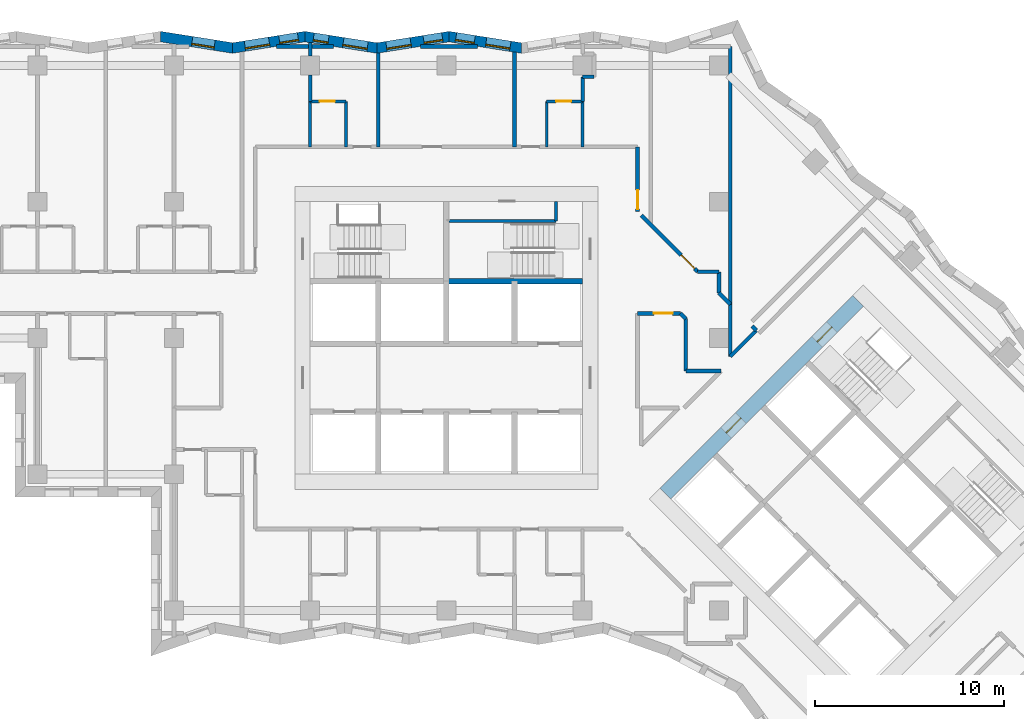
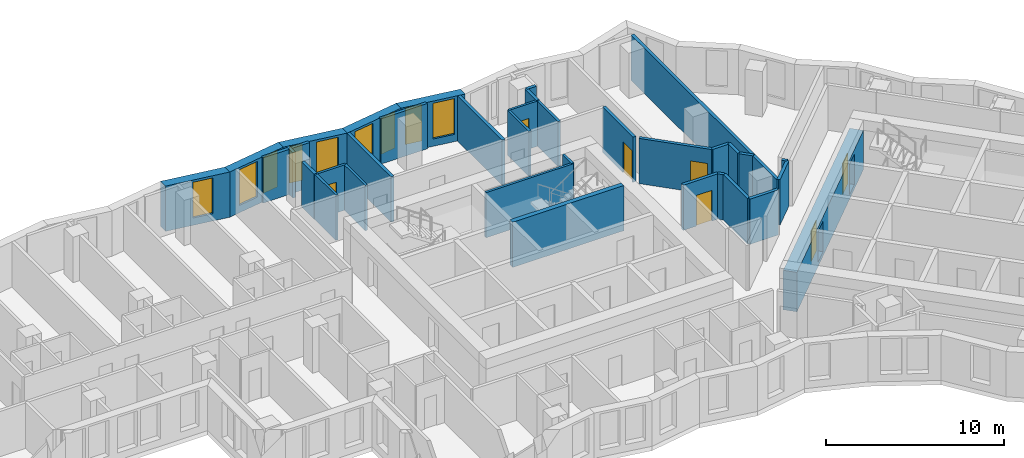
# One storey, part 7 of 13: 36 walls, 9 windows, 7 doors, 16 openings.
"""IFC4 building model written with IfcOpenShell, lengths in metres."""

from ifc_helpers import new_model, si_unit, direction, frame, frame_2d, origin, place, context, subcontext, project, spatial, polyline, rectangle, outline, extrude, material, layer, layer_set, type_object, element, fill, save


model = new_model("IFC4")

# Units and contexts
model_context = context("Model", 3, precision=1e-05, world=origin(), true_north=direction((0.0, 1.0)))
body_context = subcontext(model_context, "Body", "Model", "MODEL_VIEW")
ifc_project = project(units=[si_unit("LENGTHUNIT", "METRE"), si_unit("AREAUNIT", "SQUARE_METRE"), si_unit("VOLUMEUNIT", "CUBIC_METRE"), si_unit("PLANEANGLEUNIT", "RADIAN"), si_unit("MASSUNIT", "GRAM", prefix="KILO")], contexts=[model_context])

# Site, building, storey
site_placement = place(None, origin())
site = spatial("IfcSite", under=ifc_project, at=site_placement, CompositionType="ELEMENT")
building_placement = place(site_placement, origin())
building = spatial("IfcBuilding", under=site, at=building_placement, Name="Windrow Commons", CompositionType="ELEMENT")
storey_placement = place(building_placement, frame((0.0, 0.0, 115.2)))
storey = spatial("IfcBuildingStorey", under=building, at=storey_placement, Name="L31", CompositionType="ELEMENT", Elevation=115.2)

# Wall, openings, windows
ifc_material_1 = material(Name="Brick masonry, red clay brick", Category="masonry")
ifc_layer_1 = layer(ifc_material_1, 0.55)
ifc_layer_set_1 = layer_set([ifc_layer_1], Name="Brick facade wall 550")
wall_type_1 = type_object("IfcWallType", Name="Brick facade wall 550", PredefinedType="SOLIDWALL", material=ifc_layer_set_1)
wall_1_placement = place(storey_placement, frame((68.7582, 72.9216, 0.0), z_axis=(0.0, 0.0, 1.0), x_axis=(-0.9877213372, 0.1562259905, 0.0)))
wall_1 = element("IfcWall", 1, at=wall_1_placement, inside=storey, type_object=wall_type_1, Name="Brick facade wall L31 24", PredefinedType="SOLIDWALL", context=body_context, shape_type="SweptSolid", body=[
    extrude(outline(polyline([(0.0435, -0.275), (3.9033, -0.275), (3.8163, 0.275), (-0.0435, 0.275), (0.0435, -0.275)])), origin(), (0.0, 0.0, 1.0), 3.1),
])
opening_1_placement = place(wall_1_placement, frame((0.5895, 0.0, 0.5)))
opening_1 = element("IfcOpeningElement", 2, at=opening_1_placement, cuts=wall_1, Name="Opening W1P", PredefinedType="OPENING", context=body_context, shape_type="SweptSolid", body=[
    extrude(rectangle(XDim=1.3, YDim=2.45, at=frame_2d((0.65, 1.225))), frame((0.0, 0.285, 0.0), z_axis=(0.0, -1.0, 0.0), x_axis=(1.0, 0.0, 0.0)), (0.0, 0.0, 1.0), 0.57),
])
opening_2_placement = place(wall_1_placement, frame((2.4999, 0.0, 0.45)))
opening_2 = element("IfcOpeningElement", 3, at=opening_2_placement, cuts=wall_1, Name="Opening W1S", PredefinedType="OPENING", context=body_context, shape_type="SweptSolid", body=[
    extrude(rectangle(XDim=1.0, YDim=2.5, at=frame_2d((0.5, 1.25))), frame((0.0, 0.285, 0.0), z_axis=(0.0, -1.0, 0.0), x_axis=(1.0, 0.0, 0.0)), (0.0, 0.0, 1.0), 0.57),
])
ifc_material_2 = material(Name="Clear float glass in anodised aluminium frame", Category="aluminium")
window_type_1 = type_object("IfcWindowType", Name="Window W1P pair 1300x2450", PartitioningType="SINGLE_PANEL", PredefinedType="WINDOW", material=ifc_material_2)
window_1_placement = place(opening_1_placement, origin())
window_1 = element("IfcWindow", 4, at=window_1_placement, inside=storey, type_object=window_type_1, Name="Window L31 24.1A", OverallHeight=2.45, OverallWidth=1.3, PartitioningType="SINGLE_PANEL", PredefinedType="WINDOW", context=body_context, shape_type="SweptSolid", body=[
    extrude(rectangle(XDim=1.3, YDim=2.45, at=frame_2d((0.65, 1.225))), frame((0.0, 0.155, 0.0), z_axis=(0.0, -1.0, 0.0), x_axis=(1.0, 0.0, 0.0)), (0.0, 0.0, 1.0), 0.06),
])
fill(opening_1, window_1)
ifc_material_3 = material(Name="Clear float glass in anodised aluminium frame", Category="aluminium")
window_type_2 = type_object("IfcWindowType", Name="Window W1S slit 1000x2500", PartitioningType="SINGLE_PANEL", PredefinedType="WINDOW", material=ifc_material_3)
window_2_placement = place(opening_2_placement, origin())
window_2 = element("IfcWindow", 5, at=window_2_placement, inside=storey, type_object=window_type_2, Name="Window L31 24.1BA", OverallHeight=2.5, OverallWidth=1.0, PartitioningType="SINGLE_PANEL", PredefinedType="WINDOW", context=body_context, shape_type="SweptSolid", body=[
    extrude(rectangle(XDim=1.0, YDim=2.5, at=frame_2d((0.5, 1.25))), frame((0.0, 0.155, 0.0), z_axis=(0.0, -1.0, 0.0), x_axis=(1.0, 0.0, 0.0)), (0.0, 0.0, 1.0), 0.06),
])
fill(opening_2, window_2)

wall_2_placement = place(storey_placement, frame((64.9458, 73.5246, 0.0), z_axis=(0.0, 0.0, 1.0), x_axis=(-0.9877213372, -0.1562259905, 0.0)))
wall_2 = element("IfcWall", 6, at=wall_2_placement, inside=storey, type_object=wall_type_1, Name="Brick facade wall L31 25", PredefinedType="SOLIDWALL", context=body_context, shape_type="SweptSolid", body=[
    extrude(outline(polyline([(-0.0435, -0.275), (3.8163, -0.275), (3.9033, 0.275), (0.0435, 0.275), (-0.0435, -0.275)])), origin(), (0.0, 0.0, 1.0), 3.1),
])
opening_3_placement = place(wall_2_placement, frame((2.0516, 0.0, 0.5)))
opening_3 = element("IfcOpeningElement", 7, at=opening_3_placement, cuts=wall_2, Name="Opening W1P", PredefinedType="OPENING", context=body_context, shape_type="SweptSolid", body=[
    extrude(rectangle(XDim=1.3, YDim=2.45, at=frame_2d((0.65, 1.225))), frame((0.0, 0.285, 0.0), z_axis=(0.0, -1.0, 0.0), x_axis=(1.0, 0.0, 0.0)), (0.0, 0.0, 1.0), 0.57),
])
opening_4_placement = place(wall_2_placement, frame((0.36, 0.0, 0.45)))
opening_4 = element("IfcOpeningElement", 8, at=opening_4_placement, cuts=wall_2, Name="Opening W1S", PredefinedType="OPENING", context=body_context, shape_type="SweptSolid", body=[
    extrude(rectangle(XDim=1.0, YDim=2.5, at=frame_2d((0.5, 1.25))), frame((0.0, 0.285, 0.0), z_axis=(0.0, -1.0, 0.0), x_axis=(1.0, 0.0, 0.0)), (0.0, 0.0, 1.0), 0.57),
])
window_3_placement = place(opening_3_placement, origin())
window_3 = element("IfcWindow", 9, at=window_3_placement, inside=storey, type_object=window_type_1, Name="Window L31 25.1B", OverallHeight=2.45, OverallWidth=1.3, PartitioningType="SINGLE_PANEL", PredefinedType="WINDOW", context=body_context, shape_type="SweptSolid", body=[
    extrude(rectangle(XDim=1.3, YDim=2.45, at=frame_2d((0.65, 1.225))), frame((0.0, 0.155, 0.0), z_axis=(0.0, -1.0, 0.0), x_axis=(1.0, 0.0, 0.0)), (0.0, 0.0, 1.0), 0.06),
])
fill(opening_3, window_3)
window_4_placement = place(opening_4_placement, origin())
window_4 = element("IfcWindow", 10, at=window_4_placement, inside=storey, type_object=window_type_2, Name="Window L31 25.1AA", OverallHeight=2.5, OverallWidth=1.0, PartitioningType="SINGLE_PANEL", PredefinedType="WINDOW", context=body_context, shape_type="SweptSolid", body=[
    extrude(rectangle(XDim=1.0, YDim=2.5, at=frame_2d((0.5, 1.25))), frame((0.0, 0.155, 0.0), z_axis=(0.0, -1.0, 0.0), x_axis=(1.0, 0.0, 0.0)), (0.0, 0.0, 1.0), 0.06),
])
fill(opening_4, window_4)

wall_3_placement = place(storey_placement, frame((61.1334, 72.9216, 0.0), z_axis=(0.0, 0.0, 1.0), x_axis=(-0.9877213372, 0.1562259905, 0.0)))
wall_3 = element("IfcWall", 11, at=wall_3_placement, inside=storey, type_object=wall_type_1, Name="Brick facade wall L31 26", PredefinedType="SOLIDWALL", context=body_context, shape_type="SweptSolid", body=[
    extrude(outline(polyline([(0.0435, -0.275), (3.9033, -0.275), (3.8163, 0.275), (-0.0435, 0.275), (0.0435, -0.275)])), origin(), (0.0, 0.0, 1.0), 3.1),
])
opening_5_placement = place(wall_3_placement, frame((0.5081, 0.0, 0.5)))
opening_5 = element("IfcOpeningElement", 12, at=opening_5_placement, cuts=wall_3, Name="Opening W1P", PredefinedType="OPENING", context=body_context, shape_type="SweptSolid", body=[
    extrude(rectangle(XDim=1.3, YDim=2.45, at=frame_2d((0.65, 1.225))), frame((0.0, 0.285, 0.0), z_axis=(0.0, -1.0, 0.0), x_axis=(1.0, 0.0, 0.0)), (0.0, 0.0, 1.0), 0.57),
])
opening_6_placement = place(wall_3_placement, frame((2.5999, 0.0, 0.45)))
opening_6 = element("IfcOpeningElement", 13, at=opening_6_placement, cuts=wall_3, Name="Opening W1N", PredefinedType="OPENING", context=body_context, shape_type="SweptSolid", body=[
    extrude(rectangle(XDim=0.8, YDim=2.5, at=frame_2d((0.4, 1.25))), frame((0.0, 0.285, 0.0), z_axis=(0.0, -1.0, 0.0), x_axis=(1.0, 0.0, 0.0)), (0.0, 0.0, 1.0), 0.57),
])
ifc_material_4 = material(Name="Clear float glass in anodised aluminium frame", Category="aluminium")
window_type_3 = type_object("IfcWindowType", Name="Window W1N slit 800x2500", PartitioningType="SINGLE_PANEL", PredefinedType="WINDOW", material=ifc_material_4)
window_5_placement = place(opening_6_placement, origin())
window_5 = element("IfcWindow", 14, at=window_5_placement, inside=storey, type_object=window_type_3, Name="Window L31 26.1BA", OverallHeight=2.5, OverallWidth=0.8, PartitioningType="SINGLE_PANEL", PredefinedType="WINDOW", context=body_context, shape_type="SweptSolid", body=[
    extrude(rectangle(XDim=0.8, YDim=2.5, at=frame_2d((0.4, 1.25))), frame((0.0, 0.155, 0.0), z_axis=(0.0, -1.0, 0.0), x_axis=(1.0, 0.0, 0.0)), (0.0, 0.0, 1.0), 0.06),
])
fill(opening_6, window_5)
window_6_placement = place(opening_5_placement, origin())
window_6 = element("IfcWindow", 15, at=window_6_placement, inside=storey, type_object=window_type_1, Name="Window L31 26.1A", OverallHeight=2.45, OverallWidth=1.3, PartitioningType="SINGLE_PANEL", PredefinedType="WINDOW", context=body_context, shape_type="SweptSolid", body=[
    extrude(rectangle(XDim=1.3, YDim=2.45, at=frame_2d((0.65, 1.225))), frame((0.0, 0.155, 0.0), z_axis=(0.0, -1.0, 0.0), x_axis=(1.0, 0.0, 0.0)), (0.0, 0.0, 1.0), 0.06),
])
fill(opening_5, window_6)

wall_4_placement = place(storey_placement, frame((57.321, 73.5246, 0.0), z_axis=(0.0, 0.0, 1.0), x_axis=(-0.9877213372, -0.1562259905, 0.0)))
wall_4 = element("IfcWall", 16, at=wall_4_placement, inside=storey, type_object=wall_type_1, Name="Brick facade wall L31 27", PredefinedType="SOLIDWALL", context=body_context, shape_type="SweptSolid", body=[
    extrude(outline(polyline([(-0.0435, -0.275), (3.8163, -0.275), (3.9033, 0.275), (0.0435, 0.275), (-0.0435, -0.275)])), origin(), (0.0, 0.0, 1.0), 3.1),
])
opening_7_placement = place(wall_4_placement, frame((1.9029, 0.0, 0.5)))
opening_7 = element("IfcOpeningElement", 17, at=opening_7_placement, cuts=wall_4, Name="Opening W1P", PredefinedType="OPENING", context=body_context, shape_type="SweptSolid", body=[
    extrude(rectangle(XDim=1.3, YDim=2.45, at=frame_2d((0.65, 1.225))), frame((0.0, 0.285, 0.0), z_axis=(0.0, -1.0, 0.0), x_axis=(1.0, 0.0, 0.0)), (0.0, 0.0, 1.0), 0.57),
])
opening_8_placement = place(wall_4_placement, frame((0.36, 0.0, 0.45)))
opening_8 = element("IfcOpeningElement", 18, at=opening_8_placement, cuts=wall_4, Name="Opening W1S", PredefinedType="OPENING", context=body_context, shape_type="SweptSolid", body=[
    extrude(rectangle(XDim=1.0, YDim=2.5, at=frame_2d((0.5, 1.25))), frame((0.0, 0.285, 0.0), z_axis=(0.0, -1.0, 0.0), x_axis=(1.0, 0.0, 0.0)), (0.0, 0.0, 1.0), 0.57),
])
window_7_placement = place(opening_7_placement, origin())
window_7 = element("IfcWindow", 19, at=window_7_placement, inside=storey, type_object=window_type_1, Name="Window L31 27.1B", OverallHeight=2.45, OverallWidth=1.3, PartitioningType="SINGLE_PANEL", PredefinedType="WINDOW", context=body_context, shape_type="SweptSolid", body=[
    extrude(rectangle(XDim=1.3, YDim=2.45, at=frame_2d((0.65, 1.225))), frame((0.0, 0.155, 0.0), z_axis=(0.0, -1.0, 0.0), x_axis=(1.0, 0.0, 0.0)), (0.0, 0.0, 1.0), 0.06),
])
fill(opening_7, window_7)
window_8_placement = place(opening_8_placement, origin())
window_8 = element("IfcWindow", 20, at=window_8_placement, inside=storey, type_object=window_type_2, Name="Window L31 27.1AA", OverallHeight=2.5, OverallWidth=1.0, PartitioningType="SINGLE_PANEL", PredefinedType="WINDOW", context=body_context, shape_type="SweptSolid", body=[
    extrude(rectangle(XDim=1.0, YDim=2.5, at=frame_2d((0.5, 1.25))), frame((0.0, 0.155, 0.0), z_axis=(0.0, -1.0, 0.0), x_axis=(1.0, 0.0, 0.0)), (0.0, 0.0, 1.0), 0.06),
])
fill(opening_8, window_8)

# Wall, opening, window
wall_5_placement = place(storey_placement, frame((53.5086, 72.9216, 0.0), z_axis=(0.0, 0.0, 1.0), x_axis=(-0.9877213372, 0.1562259905, 0.0)))
wall_5 = element("IfcWall", 21, at=wall_5_placement, inside=storey, type_object=wall_type_1, Name="Brick facade wall L31 28", PredefinedType="SOLIDWALL", context=body_context, shape_type="SweptSolid", body=[
    extrude(outline(polyline([(0.0435, -0.275), (3.9033, -0.275), (3.8163, 0.275), (-0.0435, 0.275), (0.0435, -0.275)])), origin(), (0.0, 0.0, 1.0), 3.1),
])
opening_9_placement = place(wall_5_placement, frame((0.9736, 0.0, 0.5)))
opening_9 = element("IfcOpeningElement", 22, at=opening_9_placement, cuts=wall_5, Name="Opening W7D", PredefinedType="OPENING", context=body_context, shape_type="SweptSolid", body=[
    extrude(rectangle(XDim=1.2, YDim=2.45, at=frame_2d((0.6, 1.225))), frame((0.0, 0.285, 0.0), z_axis=(0.0, -1.0, 0.0), x_axis=(1.0, 0.0, 0.0)), (0.0, 0.0, 1.0), 0.57),
])
ifc_material_5 = material(Name="Clear float glass in anodised aluminium frame", Category="aluminium")
window_type_4 = type_object("IfcWindowType", Name="Window W7 notch 1200x2450", PartitioningType="SINGLE_PANEL", PredefinedType="WINDOW", material=ifc_material_5)
window_9_placement = place(opening_9_placement, origin())
window_9 = element("IfcWindow", 23, at=window_9_placement, inside=storey, type_object=window_type_4, Name="Window L31 28.1", OverallHeight=2.45, OverallWidth=1.2, PartitioningType="SINGLE_PANEL", PredefinedType="WINDOW", context=body_context, shape_type="SweptSolid", body=[
    extrude(rectangle(XDim=1.2, YDim=2.45, at=frame_2d((0.6, 1.225))), frame((0.0, 0.155, 0.0), z_axis=(0.0, -1.0, 0.0), x_axis=(1.0, 0.0, 0.0)), (0.0, 0.0, 1.0), 0.06),
])
fill(opening_9, window_9)

# Wall, opening, door
ifc_material_6 = material(Name="Blockwork partition", Category="masonry")
ifc_layer_2 = layer(ifc_material_6, 0.2)
ifc_layer_set_2 = layer_set([ifc_layer_2], Name="IW-CORRIDOR-200")
wall_type_2 = type_object("IfcWallType", Name="IW-CORRIDOR-200", PredefinedType="PARTITIONING", material=ifc_layer_set_2)
wall_6_placement = place(storey_placement, frame((75.1034, 64.0834, 0.0), z_axis=(0.0, 0.0, 1.0), x_axis=(0.7071067812, -0.7071067812, 0.0)))
wall_6 = element("IfcWall", 24, at=wall_6_placement, inside=storey, type_object=wall_type_2, Name="W-L31-W049", PredefinedType="PARTITIONING", context=body_context, shape_type="SweptSolid", body=[
    extrude(rectangle(XDim=4.2144, YDim=0.2, at=frame_2d((2.1072, 0.0))), origin(), (0.0, 0.0, 1.0), 3.1),
])
opening_10_placement = place(wall_6_placement, frame((2.9794, 0.0, 0.0)))
opening_10 = element("IfcOpeningElement", 25, at=opening_10_placement, cuts=wall_6, Name="Opening D310F", PredefinedType="OPENING", context=body_context, shape_type="SweptSolid", body=[
    extrude(rectangle(XDim=1.0, YDim=2.1, at=frame_2d((0.5, 1.05))), frame((0.0, 0.11, 0.0), z_axis=(0.0, -1.0, 0.0), x_axis=(1.0, 0.0, 0.0)), (0.0, 0.0, 1.0), 0.22),
])
ifc_material_7 = material(Name="Timber door leaf", Category="wood")
door_type_1 = type_object("IfcDoorType", Name="DT-AMENITY-1000", OperationType="SINGLE_SWING_LEFT", PredefinedType="DOOR", material=ifc_material_7)
door_1_placement = place(opening_10_placement, origin())
door_1 = element("IfcDoor", 26, at=door_1_placement, inside=storey, type_object=door_type_1, Name="D-L31-D044", OperationType="SINGLE_SWING_LEFT", OverallHeight=2.1, OverallWidth=1.0, PredefinedType="DOOR", context=body_context, shape_type="SweptSolid", body=[
    extrude(rectangle(XDim=1.0, YDim=2.1, at=frame_2d((0.5, 1.05))), frame((0.0, 0.025, 0.0), z_axis=(0.0, -1.0, 0.0), x_axis=(1.0, 0.0, 0.0)), (0.0, 0.0, 1.0), 0.05),
])
fill(opening_10, door_1)

wall_7_placement = place(storey_placement, frame((74.9, 64.28, 0.0), z_axis=(0.0, 0.0, 1.0), x_axis=(0.0, 1.0, 0.0)))
wall_7 = element("IfcWall", 27, at=wall_7_placement, inside=storey, type_object=wall_type_2, Name="W-L31-W056", PredefinedType="PARTITIONING", context=body_context, shape_type="SweptSolid", body=[
    extrude(rectangle(XDim=3.42, YDim=0.2, at=frame_2d((1.71, 0.0))), origin(), (0.0, 0.0, 1.0), 3.1),
])
opening_11_placement = place(wall_7_placement, frame((0.1296, 0.0, 0.0)))
opening_11 = element("IfcOpeningElement", 28, at=opening_11_placement, cuts=wall_7, Name="Opening D310F", PredefinedType="OPENING", context=body_context, shape_type="SweptSolid", body=[
    extrude(rectangle(XDim=1.0, YDim=2.1, at=frame_2d((0.5, 1.05))), frame((0.0, 0.11, 0.0), z_axis=(0.0, -1.0, 0.0), x_axis=(1.0, 0.0, 0.0)), (0.0, 0.0, 1.0), 0.22),
])
door_2_placement = place(opening_11_placement, origin())
door_2 = element("IfcDoor", 29, at=door_2_placement, inside=storey, type_object=door_type_1, Name="D-L31-D043", OperationType="SINGLE_SWING_RIGHT", OverallHeight=2.1, OverallWidth=1.0, PredefinedType="DOOR", context=body_context, shape_type="SweptSolid", body=[
    extrude(rectangle(XDim=1.0, YDim=2.1, at=frame_2d((0.5, 1.05))), frame((0.0, 0.025, 0.0), z_axis=(0.0, -1.0, 0.0), x_axis=(1.0, 0.0, 0.0)), (0.0, 0.0, 1.0), 0.05),
])
fill(opening_11, door_2)

# Walls
wall_8_placement = place(storey_placement, frame((77.45, 55.852, 0.0), z_axis=(0.0, 0.0, 1.0), x_axis=(0.0, 1.0, 0.0)))
element("IfcWall", 30, at=wall_8_placement, inside=storey, type_object=wall_type_2, Name="W-L31-W075", PredefinedType="PARTITIONING", context=body_context, shape_type="SweptSolid", body=[
    extrude(rectangle(XDim=2.766, YDim=0.2, at=frame_2d((1.383, 0.0))), origin(), (0.0, 0.0, 1.0), 3.1),
])
wall_9_placement = place(storey_placement, frame((79.8, 56.622, 0.0), z_axis=(0.0, 0.0, 1.0), x_axis=(0.0, 1.0, 0.0)))
element("IfcWall", 31, at=wall_9_placement, inside=storey, type_object=wall_type_2, Name="W-L31-W076", PredefinedType="PARTITIONING", context=body_context, shape_type="SweptSolid", body=[
    extrude(rectangle(XDim=2.758, YDim=0.2, at=frame_2d((1.379, 0.0))), origin(), (0.0, 0.0, 1.0), 3.1),
])

# Wall, opening, door
wall_10_placement = place(storey_placement, frame((74.902, 58.9, 0.0), z_axis=(0.0, 0.0, 1.0), x_axis=(1.0, 0.0, 0.0)))
wall_10 = element("IfcWall", 32, at=wall_10_placement, inside=storey, type_object=wall_type_2, Name="W-L31-W127", PredefinedType="PARTITIONING", context=body_context, shape_type="SweptSolid", body=[
    extrude(rectangle(XDim=2.266, YDim=0.2, at=frame_2d((1.133, 0.0))), origin(), (0.0, 0.0, 1.0), 3.1),
])
opening_12_placement = place(wall_10_placement, frame((0.8575, 0.0, 0.0)))
opening_12 = element("IfcOpeningElement", 33, at=opening_12_placement, cuts=wall_10, Name="Opening D410F", PredefinedType="OPENING", context=body_context, shape_type="SweptSolid", body=[
    extrude(rectangle(XDim=1.0, YDim=2.1, at=frame_2d((0.5, 1.05))), frame((0.0, 0.11, 0.0), z_axis=(0.0, -1.0, 0.0), x_axis=(1.0, 0.0, 0.0)), (0.0, 0.0, 1.0), 0.22),
])
ifc_material_8 = material(Name="Timber door leaf", Category="wood")
door_type_2 = type_object("IfcDoorType", Name="DT-SERVICE-1000", OperationType="SINGLE_SWING_LEFT", PredefinedType="DOOR", material=ifc_material_8)
door_3_placement = place(opening_12_placement, origin())
door_3 = element("IfcDoor", 34, at=door_3_placement, inside=storey, type_object=door_type_2, Name="D-L31-D011", OperationType="SINGLE_SWING_RIGHT", OverallHeight=2.1, OverallWidth=1.0, PredefinedType="DOOR", context=body_context, shape_type="SweptSolid", body=[
    extrude(rectangle(XDim=1.0, YDim=2.1, at=frame_2d((0.5, 1.05))), frame((0.0, 0.025, 0.0), z_axis=(0.0, -1.0, 0.0), x_axis=(1.0, 0.0, 0.0)), (0.0, 0.0, 1.0), 0.05),
])
fill(opening_12, door_3)

# Walls
wall_11_placement = place(storey_placement, frame((79.8015, 56.6225, 0.0), z_axis=(0.0, 0.0, 1.0), x_axis=(0.7071067812, 0.7071067812, 0.0)))
element("IfcWall", 35, at=wall_11_placement, inside=storey, type_object=wall_type_2, Name="W-L31-W137", PredefinedType="PARTITIONING", context=body_context, shape_type="SweptSolid", body=[
    extrude(rectangle(XDim=1.9488, YDim=0.2, at=frame_2d((0.9744, 0.0))), origin(), (0.0, 0.0, 1.0), 3.1),
])
wall_12_placement = place(storey_placement, frame((77.452, 55.85, 0.0), z_axis=(0.0, 0.0, 1.0), x_axis=(1.0, 0.0, 0.0)))
element("IfcWall", 36, at=wall_12_placement, inside=storey, type_object=wall_type_2, Name="W-L31-W154", PredefinedType="PARTITIONING", context=body_context, shape_type="SweptSolid", body=[
    extrude(rectangle(XDim=1.86, YDim=0.2, at=frame_2d((0.93, 0.0))), origin(), (0.0, 0.0, 1.0), 3.1),
])
for number, where, z_axis, x_axis, name in (
    (37, (78.08, 61.1, 0.0), (0.0, 0.0, 1.0), (1.0, 0.0, 0.0), "W-L31-W166"),
    (38, (79.2, 59.98, 0.0), (0.0, 0.0, 1.0), (0.0, 1.0, 0.0), "W-L31-W167"),
):
    element("IfcWall", number, at=place(storey_placement, frame(where, z_axis=z_axis, x_axis=x_axis)), inside=storey, type_object=wall_type_2, Name=name, PredefinedType="PARTITIONING", context=body_context, shape_type="SweptSolid", body=[
        extrude(rectangle(XDim=1.12, YDim=0.2, at=frame_2d((0.56, 0.0))), origin(), (0.0, 0.0, 1.0), 3.1),
    ])
wall_13_placement = place(storey_placement, frame((79.2034, 59.9834, 0.0), z_axis=(0.0, 0.0, 1.0), x_axis=(0.7071067812, -0.7071067812, 0.0)))
element("IfcWall", 39, at=wall_13_placement, inside=storey, type_object=wall_type_2, Name="W-L31-W171", PredefinedType="PARTITIONING", context=body_context, shape_type="SweptSolid", body=[
    extrude(rectangle(XDim=0.8485, YDim=0.2, at=frame_2d((0.4243, 0.0))), origin(), (0.0, 0.0, 1.0), 3.1),
])
wall_14_placement = place(storey_placement, frame((77.1647, 58.8967, 0.0), z_axis=(0.0, 0.0, 1.0), x_axis=(0.7071067812, -0.7071067812, 0.0)))
element("IfcWall", 40, at=wall_14_placement, inside=storey, type_object=wall_type_2, Name="W-L31-W212", PredefinedType="PARTITIONING", context=body_context, shape_type="SweptSolid", body=[
    extrude(rectangle(XDim=0.3988, YDim=0.2, at=frame_2d((0.1994, 0.0))), origin(), (0.0, 0.0, 1.0), 3.1),
])
ifc_material_9 = material(Name="Blockwork partition", Category="masonry")
ifc_layer_3 = layer(ifc_material_9, 0.15)
ifc_layer_set_3 = layer_set([ifc_layer_3], Name="IW-ENSUITE-150")
wall_type_3 = type_object("IfcWallType", Name="IW-ENSUITE-150", PredefinedType="PARTITIONING", material=ifc_layer_set_3)
for number, where, z_axis, x_axis, name in (
    (41, (59.5, 67.7, 0.0), (0.0, 0.0, 1.0), (0.0, 1.0, 0.0), "W-L31-W109"),
    (42, (57.6, 67.7, 0.0), (0.0, 0.0, 1.0), (0.0, 1.0, 0.0), "W-L31-W110"),
    (43, (70.1, 67.7, 0.0), (0.0, 0.0, 1.0), (0.0, 1.0, 0.0), "W-L31-W111"),
    (44, (72.0, 67.7, 0.0), (0.0, 0.0, 1.0), (0.0, 1.0, 0.0), "W-L31-W112"),
):
    element("IfcWall", number, at=place(storey_placement, frame(where, z_axis=z_axis, x_axis=x_axis)), inside=storey, type_object=wall_type_3, Name=name, PredefinedType="PARTITIONING", context=body_context, shape_type="SweptSolid", body=[
        extrude(rectangle(XDim=2.4, YDim=0.15, at=frame_2d((1.2, 0.0))), origin(), (0.0, 0.0, 1.0), 3.1),
    ])

# Wall, opening, door
wall_15_placement = place(storey_placement, frame((70.1, 70.1, 0.0), z_axis=(0.0, 0.0, 1.0), x_axis=(1.0, 0.0, 0.0)))
wall_15 = element("IfcWall", 45, at=wall_15_placement, inside=storey, type_object=wall_type_3, Name="W-L31-W142", PredefinedType="PARTITIONING", context=body_context, shape_type="SweptSolid", body=[
    extrude(rectangle(XDim=1.9, YDim=0.15, at=frame_2d((0.95, 0.0))), origin(), (0.0, 0.0, 1.0), 3.1),
])
opening_13_placement = place(wall_15_placement, frame((0.4931, 0.0, 0.0)))
opening_13 = element("IfcOpeningElement", 46, at=opening_13_placement, cuts=wall_15, Name="Opening D208N", PredefinedType="OPENING", context=body_context, shape_type="SweptSolid", body=[
    extrude(rectangle(XDim=0.8, YDim=2.1, at=frame_2d((0.4, 1.05))), frame((0.0, 0.085, 0.0), z_axis=(0.0, -1.0, 0.0), x_axis=(1.0, 0.0, 0.0)), (0.0, 0.0, 1.0), 0.17),
])
ifc_material_10 = material(Name="Timber door leaf", Category="wood")
door_type_3 = type_object("IfcDoorType", Name="DT-ENSUITE-800", OperationType="SINGLE_SWING_LEFT", PredefinedType="DOOR", material=ifc_material_10)
door_4_placement = place(opening_13_placement, origin())
door_4 = element("IfcDoor", 47, at=door_4_placement, inside=storey, type_object=door_type_3, Name="D-L31-D042", OperationType="SINGLE_SWING_RIGHT", OverallHeight=2.1, OverallWidth=0.8, PredefinedType="DOOR", context=body_context, shape_type="SweptSolid", body=[
    extrude(rectangle(XDim=0.8, YDim=2.1, at=frame_2d((0.4, 1.05))), frame((0.0, 0.025, 0.0), z_axis=(0.0, -1.0, 0.0), x_axis=(1.0, 0.0, 0.0)), (0.0, 0.0, 1.0), 0.05),
])
fill(opening_13, door_4)

wall_16_placement = place(storey_placement, frame((57.6, 70.1, 0.0), z_axis=(0.0, 0.0, 1.0), x_axis=(1.0, 0.0, 0.0)))
wall_16 = element("IfcWall", 48, at=wall_16_placement, inside=storey, type_object=wall_type_3, Name="W-L31-W149", PredefinedType="PARTITIONING", context=body_context, shape_type="SweptSolid", body=[
    extrude(rectangle(XDim=1.9, YDim=0.15, at=frame_2d((0.95, 0.0))), origin(), (0.0, 0.0, 1.0), 3.1),
])
opening_14_placement = place(wall_16_placement, frame((0.5021, 0.0, 0.0)))
opening_14 = element("IfcOpeningElement", 49, at=opening_14_placement, cuts=wall_16, Name="Opening D208N", PredefinedType="OPENING", context=body_context, shape_type="SweptSolid", body=[
    extrude(rectangle(XDim=0.8, YDim=2.1, at=frame_2d((0.4, 1.05))), frame((0.0, 0.085, 0.0), z_axis=(0.0, -1.0, 0.0), x_axis=(1.0, 0.0, 0.0)), (0.0, 0.0, 1.0), 0.17),
])
door_5_placement = place(opening_14_placement, origin())
door_5 = element("IfcDoor", 50, at=door_5_placement, inside=storey, type_object=door_type_3, Name="D-L31-D039", OperationType="SINGLE_SWING_RIGHT", OverallHeight=2.1, OverallWidth=0.8, PredefinedType="DOOR", context=body_context, shape_type="SweptSolid", body=[
    extrude(rectangle(XDim=0.8, YDim=2.1, at=frame_2d((0.4, 1.05))), frame((0.0, 0.025, 0.0), z_axis=(0.0, -1.0, 0.0), x_axis=(1.0, 0.0, 0.0)), (0.0, 0.0, 1.0), 0.05),
])
fill(opening_14, door_5)

# Walls
ifc_material_11 = material(Name="Blockwork partition", Category="masonry")
ifc_layer_4 = layer(ifc_material_11, 0.2)
ifc_layer_set_4 = layer_set([ifc_layer_4], Name="IW-PARTY-200")
wall_type_4 = type_object("IfcWallType", Name="IW-PARTY-200", PredefinedType="PARTITIONING", material=ifc_layer_set_4)
wall_17_placement = place(storey_placement, frame((79.8, 59.38, 0.0), z_axis=(0.0, 0.0, 1.0), x_axis=(0.0, 1.0, 0.0)))
element("IfcWall", 51, at=wall_17_placement, inside=storey, type_object=wall_type_4, Name="W-L31-W004", PredefinedType="PARTITIONING", context=body_context, shape_type="SweptSolid", body=[
    extrude(rectangle(XDim=13.62, YDim=0.2, at=frame_2d((6.81, 0.0))), origin(), (0.0, 0.0, 1.0), 3.1),
])
wall_18_placement = place(storey_placement, frame((68.4, 67.7, 0.0), z_axis=(0.0, 0.0, 1.0), x_axis=(0.0, 1.0, 0.0)))
element("IfcWall", 52, at=wall_18_placement, inside=storey, type_object=wall_type_4, Name="W-L31-W043", PredefinedType="PARTITIONING", context=body_context, shape_type="SweptSolid", body=[
    extrude(rectangle(XDim=4.9998, YDim=0.2, at=frame_2d((2.4999, 0.0))), origin(), (0.0, 0.0, 1.0), 3.1),
])
wall_19_placement = place(storey_placement, frame((61.2, 67.7, 0.0), z_axis=(0.0, 0.0, 1.0), x_axis=(0.0, 1.0, 0.0)))
element("IfcWall", 53, at=wall_19_placement, inside=storey, type_object=wall_type_4, Name="W-L31-W044", PredefinedType="PARTITIONING", context=body_context, shape_type="SweptSolid", body=[
    extrude(rectangle(XDim=4.9537, YDim=0.2, at=frame_2d((2.4769, 0.0))), origin(), (0.0, 0.0, 1.0), 3.1),
])
for number, where, z_axis, x_axis, name in (
    (54, (55.8147, 73.0, 0.0), (0.0, 0.0, 1.0), (1.0, 0.0, 0.0), "W-L31-W067"),
    (55, (63.4395, 73.0, 0.0), (0.0, 0.0, 1.0), (1.0, 0.0, 0.0), "W-L31-W068"),
):
    element("IfcWall", number, at=place(storey_placement, frame(where, z_axis=z_axis, x_axis=x_axis)), inside=storey, type_object=wall_type_4, Name=name, PredefinedType="PARTITIONING", context=body_context, shape_type="SweptSolid", body=[
        extrude(rectangle(XDim=3.0126, YDim=0.2, at=frame_2d((1.5063, 0.0))), origin(), (0.0, 0.0, 1.0), 3.1),
    ])
wall_20_placement = place(storey_placement, frame((57.6, 70.1, 0.0), z_axis=(0.0, 0.0, 1.0), x_axis=(0.0, 1.0, 0.0)))
element("IfcWall", 56, at=wall_20_placement, inside=storey, type_object=wall_type_4, Name="W-L31-W160", PredefinedType="PARTITIONING", context=body_context, shape_type="SweptSolid", body=[
    extrude(rectangle(XDim=1.4, YDim=0.2, at=frame_2d((0.7, 0.0))), origin(), (0.0, 0.0, 1.0), 3.1),
])
wall_21_placement = place(storey_placement, frame((72.0, 70.1, 0.0), z_axis=(0.0, 0.0, 1.0), x_axis=(0.0, 1.0, 0.0)))
element("IfcWall", 57, at=wall_21_placement, inside=storey, type_object=wall_type_4, Name="W-L31-W164", PredefinedType="PARTITIONING", context=body_context, shape_type="SweptSolid", body=[
    extrude(rectangle(XDim=1.296, YDim=0.2, at=frame_2d((0.648, 0.0))), origin(), (0.0, 0.0, 1.0), 3.1),
])
wall_22_placement = place(storey_placement, frame((72.0, 71.4, 0.0), z_axis=(0.0, 0.0, 1.0), x_axis=(1.0, 0.0, 0.0)))
element("IfcWall", 58, at=wall_22_placement, inside=storey, type_object=wall_type_4, Name="W-L31-W189", PredefinedType="PARTITIONING", context=body_context, shape_type="SweptSolid", body=[
    extrude(rectangle(XDim=0.6, YDim=0.2, at=frame_2d((0.3, 0.0))), origin(), (0.0, 0.0, 1.0), 3.1),
])
wall_23_placement = place(storey_placement, frame((57.6, 72.5, 0.0), z_axis=(0.0, 0.0, 1.0), x_axis=(0.0, 1.0, 0.0)))
element("IfcWall", 59, at=wall_23_placement, inside=storey, type_object=wall_type_4, Name="W-L31-W200", PredefinedType="PARTITIONING", context=body_context, shape_type="SweptSolid", body=[
    extrude(rectangle(XDim=0.702, YDim=0.2, at=frame_2d((0.351, 0.0))), origin(), (0.0, 0.0, 1.0), 3.1),
])
wall_24_placement = place(storey_placement, frame((80.9534, 58.2334, 0.0), z_axis=(0.0, 0.0, 1.0), x_axis=(0.7071067812, -0.7071067812, 0.0)))
element("IfcWall", 60, at=wall_24_placement, inside=storey, type_object=wall_type_4, Name="W-L31-W215", PredefinedType="PARTITIONING", context=body_context, shape_type="SweptSolid", body=[
    extrude(rectangle(XDim=0.3253, YDim=0.2, at=frame_2d((0.1626, 0.0))), origin(), (0.0, 0.0, 1.0), 3.1),
])

# Wall, openings, doors
ifc_material_12 = material(Name="Concrete C50/60", Category="concrete")
ifc_layer_5 = layer(ifc_material_12, 0.8)
ifc_layer_set_5 = layer_set([ifc_layer_5], Name="RC CORE WALL 800 C50/60")
wall_type_5 = type_object("IfcWallType", Name="RC CORE WALL 800 C50/60", PredefinedType="SHEAR", material=ifc_layer_set_5)
wall_25_placement = place(storey_placement, frame((76.3716, 49.3726, -0.3), z_axis=(0.0, 0.0, 1.0), x_axis=(0.7071067812, 0.7071067812, 0.0)))
wall_25 = element("IfcWall", 61, at=wall_25_placement, inside=storey, type_object=wall_type_5, Name="Core B wall outer-W", PredefinedType="SHEAR", context=body_context, shape_type="SweptSolid", body=[
    extrude(rectangle(XDim=14.3999, YDim=0.8, at=frame_2d((7.2, 0.0))), origin(), (0.0, 0.0, 1.0), 2.7),
])
opening_15_placement = place(wall_25_placement, frame((4.55, 0.0, 0.3)))
opening_15 = element("IfcOpeningElement", 62, at=opening_15_placement, cuts=wall_25, Name="Opening D6", PredefinedType="OPENING", context=body_context, shape_type="SweptSolid", body=[
    extrude(rectangle(XDim=1.1, YDim=2.1, at=frame_2d((0.55, 1.05))), frame((0.0, 0.41, 0.0), z_axis=(0.0, -1.0, 0.0), x_axis=(1.0, 0.0, 0.0)), (0.0, 0.0, 1.0), 0.82),
])
opening_16_placement = place(wall_25_placement, frame((11.35, 0.0, 0.3)))
opening_16 = element("IfcOpeningElement", 63, at=opening_16_placement, cuts=wall_25, Name="Opening D7", PredefinedType="OPENING", context=body_context, shape_type="SweptSolid", body=[
    extrude(rectangle(XDim=1.1, YDim=2.1, at=frame_2d((0.55, 1.05))), frame((0.0, 0.41, 0.0), z_axis=(0.0, -1.0, 0.0), x_axis=(1.0, 0.0, 0.0)), (0.0, 0.0, 1.0), 0.82),
])
ifc_material_13 = material(Name="Steel fire door leaf", Category="steel")
door_type_4 = type_object("IfcDoorType", Name="Core lobby door 1100", OperationType="SINGLE_SWING_LEFT", PredefinedType="DOOR", material=ifc_material_13)
door_6_placement = place(opening_15_placement, origin())
door_6 = element("IfcDoor", 64, at=door_6_placement, inside=storey, type_object=door_type_4, Name="Lift lobby door", OperationType="DOUBLE_DOOR_SINGLE_SWING", OverallHeight=2.1, OverallWidth=1.1, PredefinedType="DOOR", context=body_context, shape_type="SweptSolid", body=[
    extrude(rectangle(XDim=1.1, YDim=2.1, at=frame_2d((0.55, 1.05))), frame((0.0, 0.025, 0.0), z_axis=(0.0, -1.0, 0.0), x_axis=(1.0, 0.0, 0.0)), (0.0, 0.0, 1.0), 0.05),
])
fill(opening_15, door_6)
ifc_material_14 = material(Name="Steel fire door leaf", Category="steel")
door_type_5 = type_object("IfcDoorType", Name="Stair door 1100", OperationType="SINGLE_SWING_LEFT", PredefinedType="DOOR", material=ifc_material_14)
door_7_placement = place(opening_16_placement, origin())
door_7 = element("IfcDoor", 65, at=door_7_placement, inside=storey, type_object=door_type_5, Name="Stair door", OperationType="SINGLE_SWING_LEFT", OverallHeight=2.1, OverallWidth=1.1, PredefinedType="DOOR", context=body_context, shape_type="SweptSolid", body=[
    extrude(rectangle(XDim=1.1, YDim=2.1, at=frame_2d((0.55, 1.05))), frame((0.0, 0.025, 0.0), z_axis=(0.0, -1.0, 0.0), x_axis=(1.0, 0.0, 0.0)), (0.0, 0.0, 1.0), 0.05),
])
fill(opening_16, door_7)

# Walls
ifc_material_15 = material(Name="Concrete C50/60", Category="concrete")
ifc_layer_6 = layer(ifc_material_15, 0.3)
ifc_layer_set_6 = layer_set([ifc_layer_6], Name="RC SHAFT WALL 300 C50/60")
wall_type_6 = type_object("IfcWallType", Name="RC SHAFT WALL 300 C50/60", PredefinedType="SOLIDWALL", material=ifc_layer_set_6)
wall_26_placement = place(storey_placement, frame((64.8, 60.6, 0.0), z_axis=(0.0, 0.0, 1.0), x_axis=(1.0, 0.0, 0.0)))
element("IfcWall", 66, at=wall_26_placement, inside=storey, type_object=wall_type_6, Name="Core A wall stair-S2", PredefinedType="SOLIDWALL", context=body_context, shape_type="SweptSolid", body=[
    extrude(rectangle(XDim=7.2, YDim=0.3, at=frame_2d((3.6, 0.0))), origin(), (0.0, 0.0, 1.0), 3.1),
])
ifc_material_16 = material(Name="Blockwork partition", Category="masonry")
ifc_layer_7 = layer(ifc_material_16, 0.15)
ifc_layer_set_7 = layer_set([ifc_layer_7], Name="Riser partition 150")
wall_type_7 = type_object("IfcWallType", Name="Riser partition 150", PredefinedType="PARTITIONING", material=ifc_layer_set_7)
wall_27_placement = place(storey_placement, frame((64.95, 63.78, 0.0), z_axis=(0.0, 0.0, 1.0), x_axis=(1.0, 0.0, 0.0)))
element("IfcWall", 67, at=wall_27_placement, inside=storey, type_object=wall_type_7, Name="W-core-strip-A-L31", PredefinedType="PARTITIONING", context=body_context, shape_type="SweptSolid", body=[
    extrude(rectangle(XDim=5.65, YDim=0.15, at=frame_2d((2.825, 0.0))), origin(), (0.0, 0.0, 1.0), 3.1),
])
wall_28_placement = place(storey_placement, frame((70.6, 63.78, 0.0), z_axis=(0.0, 0.0, 1.0), x_axis=(0.0, 1.0, 0.0)))
element("IfcWall", 68, at=wall_28_placement, inside=storey, type_object=wall_type_7, Name="W-core-stripx-A-L31-1", PredefinedType="PARTITIONING", context=body_context, shape_type="SweptSolid", body=[
    extrude(rectangle(XDim=1.02, YDim=0.15, at=frame_2d((0.51, 0.0))), origin(), (0.0, 0.0, 1.0), 3.1),
])

save(model, "model.ifc")
